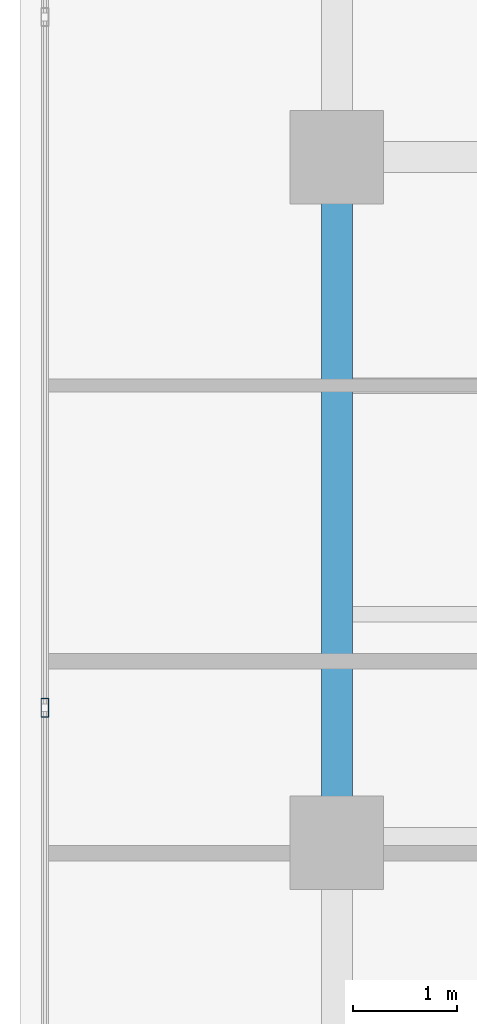
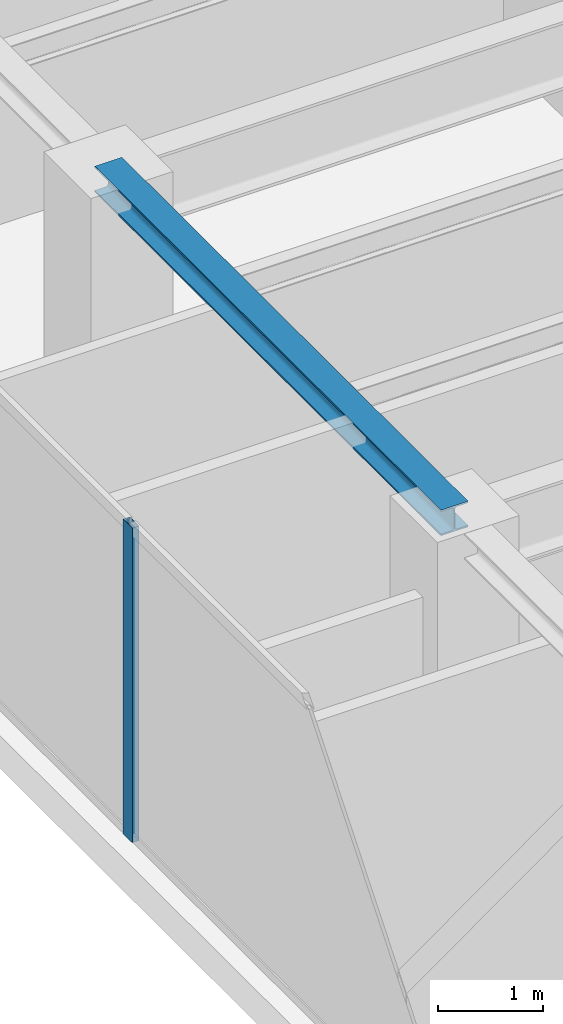
# One storey, part 11 of 31: 1 beam, 1 member, 1 element without a shape of its own.
"""IFC4 building model written with IfcOpenShell, lengths in metres."""

from ifc_helpers import new_model, si_unit, direction, frame, origin, origin_with_axes, origin_2d, place, context, subcontext, project, spatial, hollow_rectangle, i_section, extrude, source, transform, mapped, material, layer, layer_set, material_profile, profile_set, type_object, element, aggregate, save


model = new_model("IFC4")

# Units and contexts
model_context = context("Model", 3, precision=1e-05, world=origin(), true_north=direction((0.0, 1.0)))
body_context = subcontext(model_context, "Body", "Model", "MODEL_VIEW")
ifc_project = project(units=[si_unit("LENGTHUNIT", "METRE"), si_unit("AREAUNIT", "SQUARE_METRE"), si_unit("VOLUMEUNIT", "CUBIC_METRE"), si_unit("PLANEANGLEUNIT", "RADIAN"), si_unit("MASSUNIT", "GRAM", prefix="KILO")], contexts=[model_context])

# Site, building, storey
site_placement = place(None, origin())
site = spatial("IfcSite", under=ifc_project, at=site_placement, CompositionType="ELEMENT")
building_placement = place(site_placement, origin())
building = spatial("IfcBuilding", under=site, at=building_placement, Name="Kolvaren Waterfront Exchange", CompositionType="ELEMENT")
storey_placement = place(building_placement, frame((0.0, 0.0, 344.199951171875)))
storey = spatial("IfcBuildingStorey", under=building, at=storey_placement, Name="L88", CompositionType="ELEMENT", Elevation=344.199951171875)

# Beam
ifc_material_1 = material(Name="Steel S355", Category="steel")
ifc_material_profile_1 = material_profile(ifc_material_1, i_section(OverallWidth=0.300048828125, OverallDepth=0.300048828125, WebThickness=0.010986328125, FlangeThickness=0.01904296875, FilletRadius=0.027099609375, at=origin_2d()), Name="HEB300")
ifc_profile_set_1 = profile_set([ifc_material_profile_1], Name="Steel S355")
beam_type = type_object("IfcBeamType", Name="STR-BM-HEB300", PredefinedType="SPANDREL", material=ifc_profile_set_1)
beam_placement = place(storey_placement, frame((7.449951171875, 31.199951171875, 3.510009765625), z_axis=(0.0, 1.0, 0.0), x_axis=(-1.0, 0.0, 0.0)))
element("IfcBeam", 1, at=beam_placement, inside=storey, type_object=beam_type, Name="L88 north-arm edge beam 2", PredefinedType="SPANDREL", context=body_context, shape_type="SweptSolid", body=[
    extrude(i_section(OverallWidth=0.300048828125, OverallDepth=0.300048828125, WebThickness=0.010986328125, FlangeThickness=0.01904296875, FilletRadius=0.027099609375, at=origin_2d()), origin(), (0.0, 0.0, 1.0), 6.60009765625),
])

# Curtain wall, member
ifc_material_2 = material(Name="Anodised bronze aluminium 6063-T6", Category="aluminium")
ifc_layer = layer(ifc_material_2, 0.219970703125, Name="Anodised bronze aluminium 6063-T6")
ifc_layer_set = layer_set([ifc_layer], Name="Anodised bronze aluminium 6063-T6")
curtain_wall_type = type_object("IfcCurtainWallType", Name="ARC-CW-SYS5", PredefinedType="USERDEFINED", material=ifc_layer_set)
curtain_wall_placement = place(storey_placement, origin())
curtain_wall = element("IfcCurtainWall", 2, at=curtain_wall_placement, inside=storey, type_object=curtain_wall_type, Name="L88 stick curtain wall CW5 (CW-L88-W)", ObjectType="STICK CURTAIN WALL", PredefinedType="USERDEFINED")
ifc_material_profile_2 = material_profile(ifc_material_2, hollow_rectangle(XDim=0.074951171875, YDim=0.179931640625, WallThickness=0.00439453125, at=origin_2d()), Name="ALU-MUL-180x75x4.5")
ifc_profile_set_2 = profile_set([ifc_material_profile_2], Name="Anodised bronze aluminium 6063-T6")
member_type = type_object("IfcMemberType", Name="ARC-CWM-180", PredefinedType="MULLION", material=ifc_profile_set_2)
shared_shape = source(origin_with_axes(), body_context, "Body", "SweptSolid", [
    extrude(hollow_rectangle(XDim=0.074951171875, YDim=0.179931640625, WallThickness=0.00439453125, at=origin_2d()), origin(), (0.0, 0.0, 1.0), 3.66015625),
])
member_placement = place(storey_placement, frame((4.639892578125, 32.5, 0.0), z_axis=(0.0, 0.0, 1.0), x_axis=(-1.0, 0.0, 0.0)))
member = element("IfcMember", 3, at=member_placement, type_object=member_type, Name="CW5 mullion 5", PredefinedType="MULLION", context=body_context, shape_type="MappedRepresentation", body=[
    mapped(shared_shape, transform((0.0, 0.0, 0.0), x_axis=(1.0, 0.0, 0.0), y_axis=(0.0, 1.0, 0.0), z_axis=(0.0, 0.0, 1.0), scale=1.0)),
])
aggregate(curtain_wall, [member])

save(model, "model.ifc")
